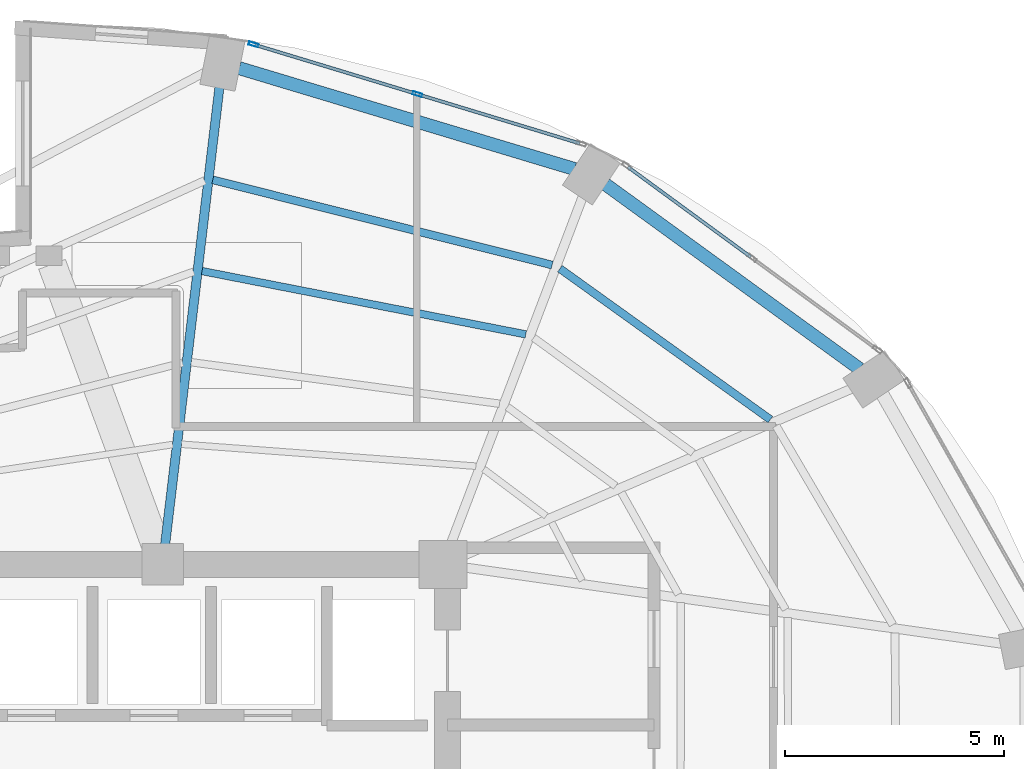
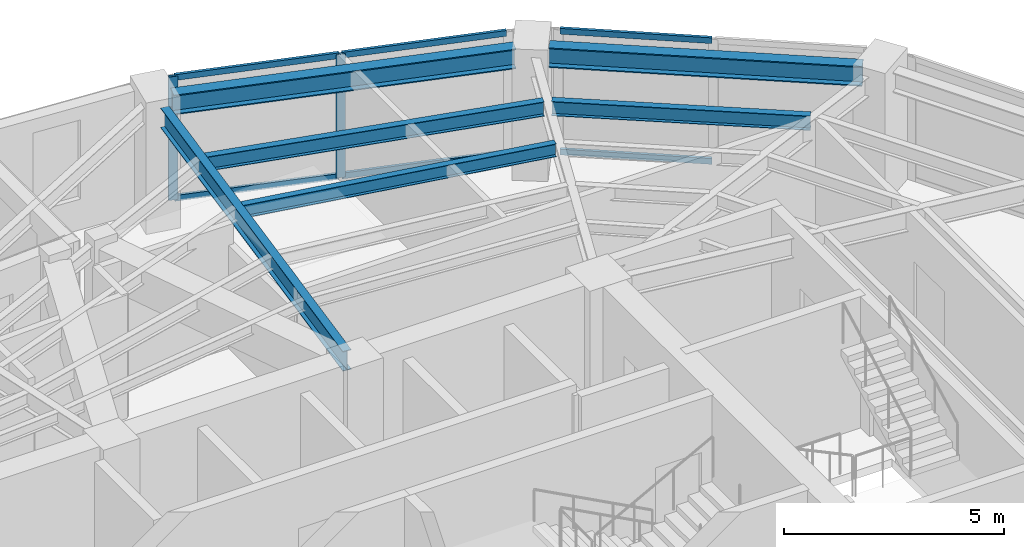
# One storey, part 13 of 20: 8 members, 6 beams, 2 elements without a shape of their own.
"""IFC4 building model written with IfcOpenShell, lengths in metres."""

from ifc_helpers import new_model, si_unit, direction, frame, origin, origin_2d, place, context, subcontext, project, spatial, hollow_rectangle, i_section, extrude, material, layer, layer_set, material_profile, profile_set, type_object, element, aggregate, save


model = new_model("IFC4")

# Units and contexts
model_context = context("Model", 3, precision=1e-05, world=origin(), true_north=direction((0.0, 1.0)))
body_context = subcontext(model_context, "Body", "Model", "MODEL_VIEW")
ifc_project = project(units=[si_unit("LENGTHUNIT", "METRE"), si_unit("AREAUNIT", "SQUARE_METRE"), si_unit("VOLUMEUNIT", "CUBIC_METRE"), si_unit("PLANEANGLEUNIT", "RADIAN"), si_unit("MASSUNIT", "GRAM", prefix="KILO")], contexts=[model_context])

# Site, building, storey
site_placement = place(None, origin())
site = spatial("IfcSite", under=ifc_project, at=site_placement, CompositionType="ELEMENT")
building_placement = place(site_placement, origin())
building = spatial("IfcBuilding", under=site, at=building_placement, Name="Lazwardi Medical Tower", CompositionType="ELEMENT")
storey_placement = place(building_placement, frame((0.0, 0.0, 149.23193359375)))
storey = spatial("IfcBuildingStorey", under=building, at=storey_placement, Name="L38", CompositionType="ELEMENT", Elevation=149.23193359375)

# Beams
ifc_material_1 = material(Name="Steel S355", Category="steel")
ifc_material_profile_1 = material_profile(ifc_material_1, i_section(OverallWidth=0.300048828125, OverallDepth=0.550048828125, WebThickness=0.014892578125, FlangeThickness=0.029052734375, at=origin_2d()), Name="HEB 550")
ifc_profile_set_1 = profile_set([ifc_material_profile_1], Name="Steel S355")
beam_type_1 = type_object("IfcBeamType", Name="BM-RB-Z3", PredefinedType="BEAM", material=ifc_profile_set_1)
beam_1_placement = place(storey_placement, frame((55.11181640625, 40.06591796875, 3.153076171875), z_axis=(-0.809127570774, 0.587633026824, 0.0), x_axis=(-0.587633026824, -0.809127570774, 0.0)))
element("IfcBeam", 1, at=beam_1_placement, inside=storey, type_object=beam_type_1, Name="Ring beam RB-04 B06 L38", PredefinedType="BEAM", context=body_context, shape_type="SweptSolid", body=[
    extrude(i_section(OverallWidth=0.300048828125, OverallDepth=0.550048828125, WebThickness=0.014892578125, FlangeThickness=0.029052734375, at=origin_2d()), origin(), (0.0, 0.0, 1.0), 7.170166015625),
])
beam_2_placement = place(storey_placement, frame((48.603515625, 44.62939453125, 3.153076171875), z_axis=(-0.957616873483, 0.288045002771, 0.0), x_axis=(-0.288045002771, -0.957616873483, 0.0)))
element("IfcBeam", 2, at=beam_2_placement, inside=storey, type_object=beam_type_1, Name="Ring beam RB-04 B07 L38", PredefinedType="BEAM", context=body_context, shape_type="SweptSolid", body=[
    extrude(i_section(OverallWidth=0.300048828125, OverallDepth=0.550048828125, WebThickness=0.014892578125, FlangeThickness=0.029052734375, at=origin_2d()), origin(), (0.0, 0.0, 1.0), 7.99951171875),
])
ifc_material_profile_2 = material_profile(ifc_material_1, i_section(OverallWidth=0.2099609375, OverallDepth=0.550048828125, WebThickness=0.010986328125, FlangeThickness=0.01708984375, at=origin_2d()), Name="IPE 550")
ifc_profile_set_2 = profile_set([ifc_material_profile_2], Name="Steel S355")
beam_type_2 = type_object("IfcBeamType", Name="BM-RG-W2", PredefinedType="BEAM", material=ifc_profile_set_2)
beam_3_placement = place(storey_placement, frame((40.494140625, 46.49267578125, 3.153076171875), z_axis=(-0.117968004211, -0.993017396616, 0.0), x_axis=(0.993017396616, -0.117968004211, 0.0)))
element("IfcBeam", 3, at=beam_3_placement, inside=storey, type_object=beam_type_2, Name="Radial girder RG-03 R08 L38", PredefinedType="BEAM", context=body_context, shape_type="SweptSolid", body=[
    extrude(i_section(OverallWidth=0.2099609375, OverallDepth=0.550048828125, WebThickness=0.010986328125, FlangeThickness=0.01708984375, at=origin_2d()), origin(), (0.0, 0.0, 1.0), 10.50927734375),
])
ifc_material_profile_3 = material_profile(ifc_material_1, i_section(OverallWidth=0.179931640625, OverallDepth=0.39990234375, WebThickness=0.008544921875, FlangeThickness=0.013427734375, at=origin_2d()), Name="IPE 400")
ifc_profile_set_3 = profile_set([ifc_material_profile_3], Name="Steel S355")
beam_type_3 = type_object("IfcBeamType", Name="BM-SJ-01", PredefinedType="JOIST", material=ifc_profile_set_3)
beam_4_placement = place(storey_placement, frame((53.073974609375, 38.908203125, 3.22802734375), z_axis=(-0.812602017757, 0.582818977675, 0.0), x_axis=(-0.582818977675, -0.812602017757, 0.0)))
element("IfcBeam", 4, at=beam_4_placement, inside=storey, type_object=beam_type_3, Name="Secondary joist SJ-01 R1 B06 L38", PredefinedType="JOIST", context=body_context, shape_type="SweptSolid", body=[
    extrude(i_section(OverallWidth=0.179931640625, OverallDepth=0.39990234375, WebThickness=0.008544921875, FlangeThickness=0.013427734375, at=origin_2d()), origin(), (0.0, 0.0, 1.0), 5.91259765625),
])
beam_5_placement = place(storey_placement, frame((48.091064453125, 42.43701171875, 3.22802734375), z_axis=(-0.969933596942, 0.243369713652, 0.0), x_axis=(-0.243369713652, -0.969933596942, 0.0)))
element("IfcBeam", 5, at=beam_5_placement, inside=storey, type_object=beam_type_3, Name="Secondary joist SJ-01 R1 B07 L38", PredefinedType="JOIST", context=body_context, shape_type="SweptSolid", body=[
    extrude(i_section(OverallWidth=0.179931640625, OverallDepth=0.39990234375, WebThickness=0.008544921875, FlangeThickness=0.013427734375, at=origin_2d()), origin(), (0.0, 0.0, 1.0), 7.98828125),
])
ifc_material_profile_4 = material_profile(ifc_material_1, i_section(OverallWidth=0.169921875, OverallDepth=0.360107421875, WebThickness=0.008056640625, FlangeThickness=0.0126953125, at=origin_2d()), Name="IPE 360")
ifc_profile_set_4 = profile_set([ifc_material_profile_4], Name="Steel S355")
beam_type_4 = type_object("IfcBeamType", Name="BM-SJ-02", PredefinedType="JOIST", material=ifc_profile_set_4)
beam_6_placement = place(storey_placement, frame((47.490478515625, 40.853515625, 3.248046875), z_axis=(-0.98141534692, 0.191895588353, 0.0), x_axis=(-0.191895588353, -0.98141534692, 0.0)))
element("IfcBeam", 6, at=beam_6_placement, inside=storey, type_object=beam_type_4, Name="Secondary joist SJ-02 R2 B07 L38", PredefinedType="JOIST", context=body_context, shape_type="SweptSolid", body=[
    extrude(i_section(OverallWidth=0.169921875, OverallDepth=0.360107421875, WebThickness=0.008056640625, FlangeThickness=0.0126953125, at=origin_2d()), origin(), (0.0, 0.0, 1.0), 7.534423828125),
])

# Curtain wall, members
ifc_material_2 = material(Name="Anodised bronze aluminium and solar control glazing", Category="aluminium")
ifc_layer = layer(ifc_material_2, 0.195068359375)
ifc_layer_set = layer_set([ifc_layer], Name="Anodised bronze aluminium and solar control glazing")
curtain_wall_type = type_object("IfcCurtainWallType", Name="CW-SYS-03", PredefinedType="NOTDEFINED", material=ifc_layer_set)
curtain_wall_1_placement = place(storey_placement, origin())
curtain_wall_1 = element("IfcCurtainWall", 7, at=curtain_wall_1_placement, inside=storey, type_object=curtain_wall_type, Name="L38 Unitised bronze curtain wall CW-03", PredefinedType="NOTDEFINED")
ifc_material_3 = material(Name="Anodised bronze aluminium", Category="aluminium")
ifc_material_profile_5 = material_profile(ifc_material_3, hollow_rectangle(XDim=0.074951171875, YDim=0.219970703125, WallThickness=0.00390625, at=origin_2d()), Name="ALU-MULLION 220x75x4")
ifc_profile_set_5 = profile_set([ifc_material_profile_5], Name="Anodised bronze aluminium")
member_type_1 = type_object("IfcMemberType", Name="CW-MUL-01", PredefinedType="MULLION", material=ifc_profile_set_5)
member_1_placement = place(storey_placement, frame((45.01513671875, 46.338623046875, 0.0), z_axis=(0.0, 0.0, 1.0), x_axis=(-0.290280785441, -0.956941516292, 0.0)))
member_1 = element("IfcMember", 8, at=member_1_placement, type_object=member_type_1, Name="CW-03 mullion 2", PredefinedType="MULLION", context=body_context, shape_type="SweptSolid", body=[
    extrude(hollow_rectangle(XDim=0.074951171875, YDim=0.219970703125, WallThickness=0.00390625, at=origin_2d()), origin(), (0.0, 0.0, 1.0), 3.427978515625),
])
member_2_placement = place(storey_placement, frame((41.27197265625, 47.47412109375, 0.0), z_axis=(0.0, 0.0, 1.0), x_axis=(-0.290280785441, -0.956941516292, 0.0)))
member_2 = element("IfcMember", 9, at=member_2_placement, type_object=member_type_1, Name="CW-03 mullion 3", PredefinedType="MULLION", context=body_context, shape_type="SweptSolid", body=[
    extrude(hollow_rectangle(XDim=0.074951171875, YDim=0.219970703125, WallThickness=0.00390625, at=origin_2d()), origin(), (0.0, 0.0, 1.0), 3.427978515625),
])

curtain_wall_2_placement = place(storey_placement, origin())
curtain_wall_2 = element("IfcCurtainWall", 10, at=curtain_wall_2_placement, inside=storey, type_object=curtain_wall_type, Name="L38 Unitised bronze curtain wall CW-03", PredefinedType="NOTDEFINED")
ifc_material_profile_6 = material_profile(ifc_material_3, hollow_rectangle(XDim=0.074951171875, YDim=0.159912109375, WallThickness=0.00390625, at=origin_2d()), Name="ALU-TRANSOM 160x75x4")
ifc_profile_set_6 = profile_set([ifc_material_profile_6], Name="Anodised bronze aluminium")
member_type_2 = type_object("IfcMemberType", Name="CW-TRN-01", PredefinedType="USERDEFINED", material=ifc_profile_set_6)
member_3_placement = place(storey_placement, frame((52.62744140625, 42.62109375, 0.03759765625), z_axis=(-0.806807161185, 0.590814864962, 0.0), x_axis=(-0.590814864962, -0.806807161185, 0.0)))
member_3 = element("IfcMember", 11, at=member_3_placement, type_object=member_type_2, Name="CW-03 transom 2.1", ObjectType="TRANSOM", PredefinedType="USERDEFINED", context=body_context, shape_type="SweptSolid", body=[
    extrude(hollow_rectangle(XDim=0.074951171875, YDim=0.159912109375, WallThickness=0.00390625, at=origin_2d()), origin(), (0.0, 0.0, 1.0), 3.472412109375),
])
member_4_placement = place(storey_placement, frame((52.62744140625, 42.62109375, 3.390625), z_axis=(-0.806807161185, 0.590814864962, 0.0), x_axis=(-0.590814864962, -0.806807161185, 0.0)))
member_4 = element("IfcMember", 12, at=member_4_placement, type_object=member_type_2, Name="CW-03 transom 2.2", ObjectType="TRANSOM", PredefinedType="USERDEFINED", context=body_context, shape_type="SweptSolid", body=[
    extrude(hollow_rectangle(XDim=0.074951171875, YDim=0.159912109375, WallThickness=0.00390625, at=origin_2d()), origin(), (0.0, 0.0, 1.0), 3.472412109375),
])
aggregate(curtain_wall_2, [member_3, member_4])

# Member
member_5_placement = place(storey_placement, frame((48.72216796875, 45.214111328125, 0.03759765625), z_axis=(-0.956930154175, 0.290318239233, 0.0), x_axis=(-0.290318239233, -0.956930154175, 0.0)))
member_5 = element("IfcMember", 13, at=member_5_placement, type_object=member_type_2, Name="CW-03 transom 1.1", ObjectType="TRANSOM", PredefinedType="USERDEFINED", context=body_context, shape_type="SweptSolid", body=[
    extrude(hollow_rectangle(XDim=0.074951171875, YDim=0.159912109375, WallThickness=0.00390625, at=origin_2d()), origin(), (0.0, 0.0, 1.0), 3.83642578125),
])

member_6_placement = place(storey_placement, frame((48.72216796875, 45.214111328125, 3.390625), z_axis=(-0.956930154175, 0.290318239233, 0.0), x_axis=(-0.290318239233, -0.956930154175, 0.0)))
member_6 = element("IfcMember", 14, at=member_6_placement, type_object=member_type_2, Name="CW-03 transom 1.2", ObjectType="TRANSOM", PredefinedType="USERDEFINED", context=body_context, shape_type="SweptSolid", body=[
    extrude(hollow_rectangle(XDim=0.074951171875, YDim=0.159912109375, WallThickness=0.00390625, at=origin_2d()), origin(), (0.0, 0.0, 1.0), 3.83642578125),
])

member_7_placement = place(storey_placement, frame((44.979248046875, 46.349609375, 0.03759765625), z_axis=(-0.95695319357, 0.290242287264, 0.0), x_axis=(-0.290242287264, -0.95695319357, 0.0)))
member_7 = element("IfcMember", 15, at=member_7_placement, type_object=member_type_2, Name="CW-03 transom 2.1", ObjectType="TRANSOM", PredefinedType="USERDEFINED", context=body_context, shape_type="SweptSolid", body=[
    extrude(hollow_rectangle(XDim=0.074951171875, YDim=0.159912109375, WallThickness=0.00390625, at=origin_2d()), origin(), (0.0, 0.0, 1.0), 3.83642578125),
])

member_8_placement = place(storey_placement, frame((44.979248046875, 46.349609375, 3.390625), z_axis=(-0.95695319357, 0.290242287264, 0.0), x_axis=(-0.290242287264, -0.95695319357, 0.0)))
member_8 = element("IfcMember", 16, at=member_8_placement, type_object=member_type_2, Name="CW-03 transom 2.2", ObjectType="TRANSOM", PredefinedType="USERDEFINED", context=body_context, shape_type="SweptSolid", body=[
    extrude(hollow_rectangle(XDim=0.074951171875, YDim=0.159912109375, WallThickness=0.00390625, at=origin_2d()), origin(), (0.0, 0.0, 1.0), 3.83642578125),
])

aggregate(curtain_wall_1, [member_1, member_2, member_5, member_6, member_7, member_8])

save(model, "model.ifc")
